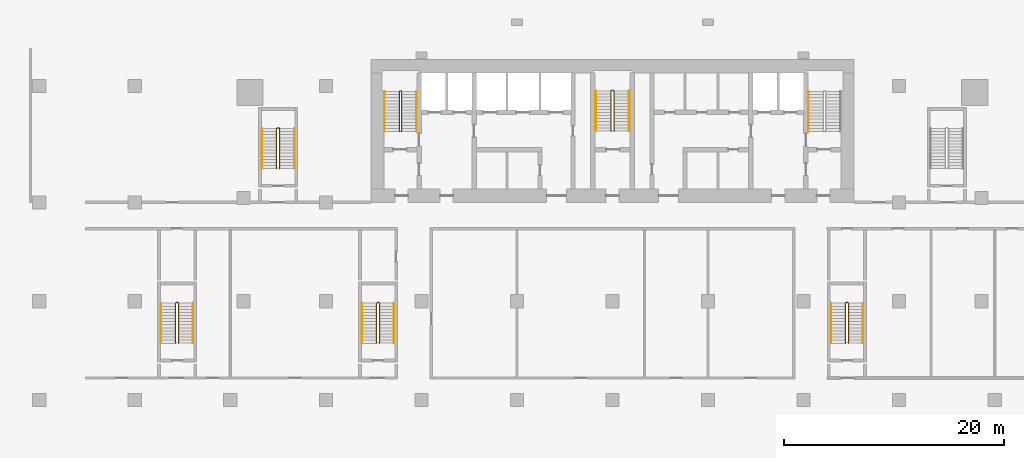
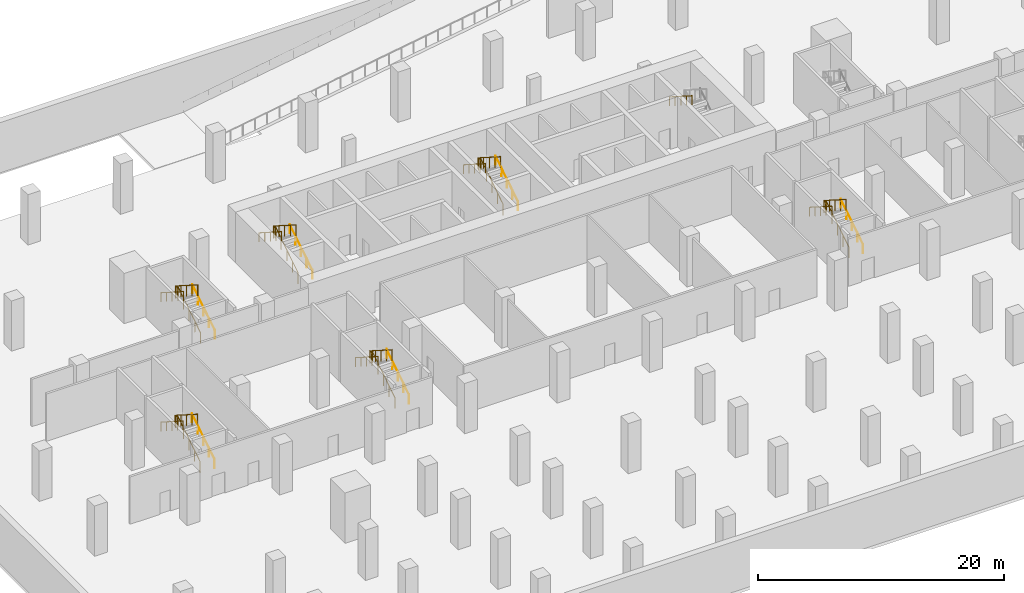
# One storey, part 7 of 8: 19 railings.
"""IFC4 building model written with IfcOpenShell, lengths in metres."""

from ifc_helpers import new_model, si_unit, direction, frame, origin, origin_2d, place, context, subcontext, project, spatial, circle, extrude, material, type_object, element, save


model = new_model("IFC4")

# Units and contexts
model_context = context("Model", 3, precision=1e-05, world=origin(), true_north=direction((0.0, 1.0)))
body_context = subcontext(model_context, "Body", "Model", "MODEL_VIEW")
ifc_project = project(units=[si_unit("LENGTHUNIT", "METRE"), si_unit("AREAUNIT", "SQUARE_METRE"), si_unit("VOLUMEUNIT", "CUBIC_METRE"), si_unit("PLANEANGLEUNIT", "RADIAN"), si_unit("MASSUNIT", "GRAM", prefix="KILO")], contexts=[model_context])

# Site, building, storey
site_placement = place(None, origin())
site = spatial("IfcSite", under=ifc_project, at=site_placement, CompositionType="ELEMENT")
building_placement = place(site_placement, origin())
building = spatial("IfcBuilding", under=site, at=building_placement, Name="Bicima Exchange Tower", CompositionType="ELEMENT")
storey_placement = place(building_placement, frame((0.0, 0.0, -10.0)))
storey = spatial("IfcBuildingStorey", under=building, at=storey_placement, Name="B2", CompositionType="ELEMENT", Elevation=-10.0)

# Railings
ifc_material = material(Name="Stainless steel", Category="steel")
railing_type_1 = type_object("IfcRailingType", Name="Stair guard 1100", PredefinedType="GUARDRAIL", material=ifc_material)
railing_1_placement = place(storey_placement, frame((-19.199951171875, -6.550048828125, 0.178466796875)))
element("IfcRailing", 1, at=railing_1_placement, inside=storey, type_object=railing_type_1, Name="B2 ST-W stair guard 1", PredefinedType="GUARDRAIL", context=body_context, shape_type="SweptSolid", body=[
    extrude(circle(Radius=0.02392578125, at=origin_2d()), frame((0.0, 0.0, 1.076171875), z_axis=(0.0, 0.843127859045, 0.537713132908), x_axis=(-1.0, 0.0, 0.0)), (0.0, 0.0, 1.0), 4.3173828125),
    extrude(circle(Radius=0.02392578125, at=origin_2d()), frame((0.0, 3.64013671875, 3.3974609375), z_axis=(-0.708833529934, 0.705375805398, 0.0), x_axis=(-0.705375805398, -0.708833529934, 0.0)), (0.0, 0.0, 1.0), 0.070556640625),
    extrude(circle(Radius=0.02392578125, at=origin_2d()), frame((-0.050048828125, 3.68994140625, 3.3974609375), z_axis=(-1.0, 0.0, 0.0), x_axis=(0.0, -1.0, 0.0)), (0.0, 0.0, 1.0), 0.10009765625),
    extrude(circle(Radius=0.02392578125, at=origin_2d()), frame((-0.150146484375, 3.68994140625, 3.3974609375), z_axis=(-0.259584636361, -0.259584636361, 0.930178280294), x_axis=(0.707106781187, -0.707106781187, 0.0)), (0.0, 0.0, 1.0), 0.19189453125),
    extrude(circle(Radius=0.02392578125, at=origin_2d()), frame((-0.199951171875, 3.64013671875, 3.576171875), z_axis=(0.0, -0.843127859045, 0.537713132908), x_axis=(1.0, 0.0, 0.0)), (0.0, 0.0, 1.0), 4.3173828125),
    extrude(circle(Radius=0.02099609375, at=origin_2d()), origin(), (0.0, 0.0, 1.0), 1.052001953125),
    extrude(circle(Radius=0.02099609375, at=origin_2d()), frame((0.0, 0.91015625, 0.580322265625)), (0.0, 0.0, 1.0), 1.052001953125),
    extrude(circle(Radius=0.02099609375, at=origin_2d()), frame((0.0, 1.820068359375, 1.16064453125)), (0.0, 0.0, 1.0), 1.052001953125),
    extrude(circle(Radius=0.02099609375, at=origin_2d()), frame((0.0, 2.72998046875, 1.7412109375)), (0.0, 0.0, 1.0), 1.052001953125),
    extrude(circle(Radius=0.02099609375, at=origin_2d()), frame((0.0, 3.64013671875, 2.321533203125)), (0.0, 0.0, 1.0), 1.052001953125),
    extrude(circle(Radius=0.02099609375, at=origin_2d()), frame((-0.050048828125, 3.68994140625, 2.321533203125)), (0.0, 0.0, 1.0), 1.052001953125),
    extrude(circle(Radius=0.02099609375, at=origin_2d()), frame((-0.150146484375, 3.68994140625, 2.321533203125)), (0.0, 0.0, 1.0), 1.052001953125),
    extrude(circle(Radius=0.02099609375, at=origin_2d()), frame((-0.199951171875, 3.64013671875, 2.5)), (0.0, 0.0, 1.0), 1.052001953125),
    extrude(circle(Radius=0.02099609375, at=origin_2d()), frame((-0.199951171875, 2.72998046875, 3.080322265625)), (0.0, 0.0, 1.0), 1.052001953125),
    extrude(circle(Radius=0.02099609375, at=origin_2d()), frame((-0.199951171875, 1.820068359375, 3.66064453125)), (0.0, 0.0, 1.0), 1.052001953125),
    extrude(circle(Radius=0.02099609375, at=origin_2d()), frame((-0.199951171875, 0.91015625, 4.2412109375)), (0.0, 0.0, 1.0), 1.052001953125),
    extrude(circle(Radius=0.02099609375, at=origin_2d()), frame((-0.199951171875, 0.0, 4.821533203125)), (0.0, 0.0, 1.0), 1.052001953125),
])
railing_2_placement = place(storey_placement, frame((0.125, -6.5, 0.178466796875)))
element("IfcRailing", 2, at=railing_2_placement, inside=storey, type_object=railing_type_1, Name="B2 ST-C stair guard 1", PredefinedType="GUARDRAIL", context=body_context, shape_type="SweptSolid", body=[
    extrude(circle(Radius=0.02392578125, at=origin_2d()), frame((0.0, 0.0, 1.076171875), z_axis=(0.0, 0.843111507901, 0.53773877045), x_axis=(-1.0, 0.0, 0.0)), (0.0, 0.0, 1.0), 4.317138671875),
    extrude(circle(Radius=0.02392578125, at=origin_2d()), frame((0.0, 3.639892578125, 3.3974609375), z_axis=(-0.707106781187, 0.707106781187, 0.0), x_axis=(-0.707106781187, -0.707106781187, 0.0)), (0.0, 0.0, 1.0), 0.07080078125),
    extrude(circle(Radius=0.02392578125, at=origin_2d()), frame((-0.050048828125, 3.68994140625, 3.3974609375), z_axis=(-1.0, 0.0, 0.0), x_axis=(0.0, -1.0, 0.0)), (0.0, 0.0, 1.0), 0.14990234375),
    extrude(circle(Radius=0.02392578125, at=origin_2d()), frame((-0.199951171875, 3.68994140625, 3.3974609375), z_axis=(-0.260684529273, -0.260684529273, 0.929562882432), x_axis=(0.707106781187, -0.707106781187, 0.0)), (0.0, 0.0, 1.0), 0.19189453125),
    extrude(circle(Radius=0.02392578125, at=origin_2d()), frame((-0.25, 3.639892578125, 3.576171875), z_axis=(0.0, -0.843111507901, 0.53773877045), x_axis=(1.0, 0.0, 0.0)), (0.0, 0.0, 1.0), 4.317138671875),
    extrude(circle(Radius=0.02099609375, at=origin_2d()), origin(), (0.0, 0.0, 1.0), 1.052001953125),
    extrude(circle(Radius=0.02099609375, at=origin_2d()), frame((0.0, 0.909912109375, 0.580322265625)), (0.0, 0.0, 1.0), 1.052001953125),
    extrude(circle(Radius=0.02099609375, at=origin_2d()), frame((0.0, 1.81982421875, 1.16064453125)), (0.0, 0.0, 1.0), 1.052001953125),
    extrude(circle(Radius=0.02099609375, at=origin_2d()), frame((0.0, 2.72998046875, 1.7412109375)), (0.0, 0.0, 1.0), 1.052001953125),
    extrude(circle(Radius=0.02099609375, at=origin_2d()), frame((0.0, 3.639892578125, 2.321533203125)), (0.0, 0.0, 1.0), 1.052001953125),
    extrude(circle(Radius=0.02099609375, at=origin_2d()), frame((-0.050048828125, 3.68994140625, 2.321533203125)), (0.0, 0.0, 1.0), 1.052001953125),
    extrude(circle(Radius=0.02099609375, at=origin_2d()), frame((-0.199951171875, 3.68994140625, 2.321533203125)), (0.0, 0.0, 1.0), 1.052001953125),
    extrude(circle(Radius=0.02099609375, at=origin_2d()), frame((-0.25, 3.639892578125, 2.5)), (0.0, 0.0, 1.0), 1.052001953125),
    extrude(circle(Radius=0.02099609375, at=origin_2d()), frame((-0.25, 2.72998046875, 3.080322265625)), (0.0, 0.0, 1.0), 1.052001953125),
    extrude(circle(Radius=0.02099609375, at=origin_2d()), frame((-0.25, 1.81982421875, 3.66064453125)), (0.0, 0.0, 1.0), 1.052001953125),
    extrude(circle(Radius=0.02099609375, at=origin_2d()), frame((-0.25, 0.909912109375, 4.2412109375)), (0.0, 0.0, 1.0), 1.052001953125),
    extrude(circle(Radius=0.02099609375, at=origin_2d()), frame((-0.25, 0.0, 4.821533203125)), (0.0, 0.0, 1.0), 1.052001953125),
])
railing_3_placement = place(storey_placement, frame((-30.324951171875, -9.925048828125, 0.178466796875)))
element("IfcRailing", 3, at=railing_3_placement, inside=storey, type_object=railing_type_1, Name="B2 ST-WW stair guard 1", PredefinedType="GUARDRAIL", context=body_context, shape_type="SweptSolid", body=[
    extrude(circle(Radius=0.02392578125, at=origin_2d()), frame((0.0, 0.0, 1.076171875), z_axis=(0.0, 0.843127859045, 0.537713132908), x_axis=(-1.0, 0.0, 0.0)), (0.0, 0.0, 1.0), 4.3173828125),
    extrude(circle(Radius=0.02392578125, at=origin_2d()), frame((0.0, 3.64013671875, 3.3974609375), z_axis=(-0.708833529934, 0.705375805398, 0.0), x_axis=(-0.705375805398, -0.708833529934, 0.0)), (0.0, 0.0, 1.0), 0.070556640625),
    extrude(circle(Radius=0.02392578125, at=origin_2d()), frame((-0.050048828125, 3.68994140625, 3.3974609375), z_axis=(-1.0, 0.0, 0.0), x_axis=(0.0, -1.0, 0.0)), (0.0, 0.0, 1.0), 0.14990234375),
    extrude(circle(Radius=0.02392578125, at=origin_2d()), frame((-0.199951171875, 3.68994140625, 3.3974609375), z_axis=(-0.26077077684, -0.25949872427, 0.929870428634), x_axis=(0.705375805398, -0.708833529934, 0.0)), (0.0, 0.0, 1.0), 0.19189453125),
    extrude(circle(Radius=0.02392578125, at=origin_2d()), frame((-0.25, 3.64013671875, 3.576171875), z_axis=(0.0, -0.843127859045, 0.537713132908), x_axis=(1.0, 0.0, 0.0)), (0.0, 0.0, 1.0), 4.3173828125),
    extrude(circle(Radius=0.02099609375, at=origin_2d()), origin(), (0.0, 0.0, 1.0), 1.052001953125),
    extrude(circle(Radius=0.02099609375, at=origin_2d()), frame((0.0, 0.91015625, 0.580322265625)), (0.0, 0.0, 1.0), 1.052001953125),
    extrude(circle(Radius=0.02099609375, at=origin_2d()), frame((0.0, 1.820068359375, 1.16064453125)), (0.0, 0.0, 1.0), 1.052001953125),
    extrude(circle(Radius=0.02099609375, at=origin_2d()), frame((0.0, 2.72998046875, 1.7412109375)), (0.0, 0.0, 1.0), 1.052001953125),
    extrude(circle(Radius=0.02099609375, at=origin_2d()), frame((0.0, 3.64013671875, 2.321533203125)), (0.0, 0.0, 1.0), 1.052001953125),
    extrude(circle(Radius=0.02099609375, at=origin_2d()), frame((-0.050048828125, 3.68994140625, 2.321533203125)), (0.0, 0.0, 1.0), 1.052001953125),
    extrude(circle(Radius=0.02099609375, at=origin_2d()), frame((-0.199951171875, 3.68994140625, 2.321533203125)), (0.0, 0.0, 1.0), 1.052001953125),
    extrude(circle(Radius=0.02099609375, at=origin_2d()), frame((-0.25, 3.64013671875, 2.5)), (0.0, 0.0, 1.0), 1.052001953125),
    extrude(circle(Radius=0.02099609375, at=origin_2d()), frame((-0.25, 2.72998046875, 3.080322265625)), (0.0, 0.0, 1.0), 1.052001953125),
    extrude(circle(Radius=0.02099609375, at=origin_2d()), frame((-0.25, 1.820068359375, 3.66064453125)), (0.0, 0.0, 1.0), 1.052001953125),
    extrude(circle(Radius=0.02099609375, at=origin_2d()), frame((-0.25, 0.91015625, 4.2412109375)), (0.0, 0.0, 1.0), 1.052001953125),
    extrude(circle(Radius=0.02099609375, at=origin_2d()), frame((-0.25, 0.0, 4.821533203125)), (0.0, 0.0, 1.0), 1.052001953125),
])
railing_4_placement = place(storey_placement, frame((-39.52490234375, -25.824951171875, 0.178466796875)))
element("IfcRailing", 4, at=railing_4_placement, inside=storey, type_object=railing_type_1, Name="B2 PS-W stair guard 1", PredefinedType="GUARDRAIL", context=body_context, shape_type="SweptSolid", body=[
    extrude(circle(Radius=0.02392578125, at=origin_2d()), frame((0.0, 0.0, 1.076171875), z_axis=(0.0, 0.843111507901, 0.53773877045), x_axis=(-1.0, 0.0, 0.0)), (0.0, 0.0, 1.0), 4.317138671875),
    extrude(circle(Radius=0.02392578125, at=origin_2d()), frame((0.0, 3.639892578125, 3.3974609375), z_axis=(-0.707106781187, 0.707106781187, 0.0), x_axis=(-0.707106781187, -0.707106781187, 0.0)), (0.0, 0.0, 1.0), 0.07080078125),
    extrude(circle(Radius=0.02392578125, at=origin_2d()), frame((-0.050048828125, 3.68994140625, 3.3974609375), z_axis=(-1.0, 0.0, 0.0), x_axis=(0.0, -1.0, 0.0)), (0.0, 0.0, 1.0), 0.150146484375),
    extrude(circle(Radius=0.02392578125, at=origin_2d()), frame((-0.2001953125, 3.68994140625, 3.3974609375), z_axis=(-0.25949872427, -0.26077077684, 0.929870428634), x_axis=(0.708833529934, -0.705375805398, 0.0)), (0.0, 0.0, 1.0), 0.19189453125),
    extrude(circle(Radius=0.02392578125, at=origin_2d()), frame((-0.25, 3.639892578125, 3.576171875), z_axis=(0.0, -0.843111507901, 0.53773877045), x_axis=(1.0, 0.0, 0.0)), (0.0, 0.0, 1.0), 4.317138671875),
    extrude(circle(Radius=0.02099609375, at=origin_2d()), origin(), (0.0, 0.0, 1.0), 1.052001953125),
    extrude(circle(Radius=0.02099609375, at=origin_2d()), frame((0.0, 0.909912109375, 0.580322265625)), (0.0, 0.0, 1.0), 1.052001953125),
    extrude(circle(Radius=0.02099609375, at=origin_2d()), frame((0.0, 1.81982421875, 1.16064453125)), (0.0, 0.0, 1.0), 1.052001953125),
    extrude(circle(Radius=0.02099609375, at=origin_2d()), frame((0.0, 2.72998046875, 1.7412109375)), (0.0, 0.0, 1.0), 1.052001953125),
    extrude(circle(Radius=0.02099609375, at=origin_2d()), frame((0.0, 3.639892578125, 2.321533203125)), (0.0, 0.0, 1.0), 1.052001953125),
    extrude(circle(Radius=0.02099609375, at=origin_2d()), frame((-0.050048828125, 3.68994140625, 2.321533203125)), (0.0, 0.0, 1.0), 1.052001953125),
    extrude(circle(Radius=0.02099609375, at=origin_2d()), frame((-0.2001953125, 3.68994140625, 2.321533203125)), (0.0, 0.0, 1.0), 1.052001953125),
    extrude(circle(Radius=0.02099609375, at=origin_2d()), frame((-0.25, 3.639892578125, 2.5)), (0.0, 0.0, 1.0), 1.052001953125),
    extrude(circle(Radius=0.02099609375, at=origin_2d()), frame((-0.25, 2.72998046875, 3.080322265625)), (0.0, 0.0, 1.0), 1.052001953125),
    extrude(circle(Radius=0.02099609375, at=origin_2d()), frame((-0.25, 1.81982421875, 3.66064453125)), (0.0, 0.0, 1.0), 1.052001953125),
    extrude(circle(Radius=0.02099609375, at=origin_2d()), frame((-0.25, 0.909912109375, 4.2412109375)), (0.0, 0.0, 1.0), 1.052001953125),
    extrude(circle(Radius=0.02099609375, at=origin_2d()), frame((-0.25, 0.0, 4.821533203125)), (0.0, 0.0, 1.0), 1.052001953125),
])
railing_5_placement = place(storey_placement, frame((-21.22509765625, -25.824951171875, 0.178466796875)))
element("IfcRailing", 5, at=railing_5_placement, inside=storey, type_object=railing_type_1, Name="B2 PS-WI stair guard 1", PredefinedType="GUARDRAIL", context=body_context, shape_type="SweptSolid", body=[
    extrude(circle(Radius=0.02392578125, at=origin_2d()), frame((0.0, 0.0, 1.076171875), z_axis=(0.0, 0.843111507901, 0.53773877045), x_axis=(-1.0, 0.0, 0.0)), (0.0, 0.0, 1.0), 4.317138671875),
    extrude(circle(Radius=0.02392578125, at=origin_2d()), frame((0.0, 3.639892578125, 3.3974609375), z_axis=(-0.705375805398, 0.708833529934, 0.0), x_axis=(-0.708833529934, -0.705375805398, 0.0)), (0.0, 0.0, 1.0), 0.070556640625),
    extrude(circle(Radius=0.02392578125, at=origin_2d()), frame((-0.0498046875, 3.68994140625, 3.3974609375), z_axis=(-1.0, 0.0, 0.0), x_axis=(0.0, -1.0, 0.0)), (0.0, 0.0, 1.0), 0.150146484375),
    extrude(circle(Radius=0.02392578125, at=origin_2d()), frame((-0.199951171875, 3.68994140625, 3.3974609375), z_axis=(-0.260684529273, -0.260684529273, 0.929562882432), x_axis=(0.707106781187, -0.707106781187, 0.0)), (0.0, 0.0, 1.0), 0.19189453125),
    extrude(circle(Radius=0.02392578125, at=origin_2d()), frame((-0.25, 3.639892578125, 3.576171875), z_axis=(0.0, -0.843111507901, 0.53773877045), x_axis=(1.0, 0.0, 0.0)), (0.0, 0.0, 1.0), 4.317138671875),
    extrude(circle(Radius=0.02099609375, at=origin_2d()), origin(), (0.0, 0.0, 1.0), 1.052001953125),
    extrude(circle(Radius=0.02099609375, at=origin_2d()), frame((0.0, 0.909912109375, 0.580322265625)), (0.0, 0.0, 1.0), 1.052001953125),
    extrude(circle(Radius=0.02099609375, at=origin_2d()), frame((0.0, 1.81982421875, 1.16064453125)), (0.0, 0.0, 1.0), 1.052001953125),
    extrude(circle(Radius=0.02099609375, at=origin_2d()), frame((0.0, 2.72998046875, 1.7412109375)), (0.0, 0.0, 1.0), 1.052001953125),
    extrude(circle(Radius=0.02099609375, at=origin_2d()), frame((0.0, 3.639892578125, 2.321533203125)), (0.0, 0.0, 1.0), 1.052001953125),
    extrude(circle(Radius=0.02099609375, at=origin_2d()), frame((-0.0498046875, 3.68994140625, 2.321533203125)), (0.0, 0.0, 1.0), 1.052001953125),
    extrude(circle(Radius=0.02099609375, at=origin_2d()), frame((-0.199951171875, 3.68994140625, 2.321533203125)), (0.0, 0.0, 1.0), 1.052001953125),
    extrude(circle(Radius=0.02099609375, at=origin_2d()), frame((-0.25, 3.639892578125, 2.5)), (0.0, 0.0, 1.0), 1.052001953125),
    extrude(circle(Radius=0.02099609375, at=origin_2d()), frame((-0.25, 2.72998046875, 3.080322265625)), (0.0, 0.0, 1.0), 1.052001953125),
    extrude(circle(Radius=0.02099609375, at=origin_2d()), frame((-0.25, 1.81982421875, 3.66064453125)), (0.0, 0.0, 1.0), 1.052001953125),
    extrude(circle(Radius=0.02099609375, at=origin_2d()), frame((-0.25, 0.909912109375, 4.2412109375)), (0.0, 0.0, 1.0), 1.052001953125),
    extrude(circle(Radius=0.02099609375, at=origin_2d()), frame((-0.25, 0.0, 4.821533203125)), (0.0, 0.0, 1.0), 1.052001953125),
])
railing_6_placement = place(storey_placement, frame((21.47509765625, -25.824951171875, 0.178466796875)))
element("IfcRailing", 6, at=railing_6_placement, inside=storey, type_object=railing_type_1, Name="B2 PS-EI stair guard 1", PredefinedType="GUARDRAIL", context=body_context, shape_type="SweptSolid", body=[
    extrude(circle(Radius=0.02392578125, at=origin_2d()), frame((0.0, 0.0, 1.076171875), z_axis=(0.0, 0.843111507901, 0.53773877045), x_axis=(-1.0, 0.0, 0.0)), (0.0, 0.0, 1.0), 4.317138671875),
    extrude(circle(Radius=0.02392578125, at=origin_2d()), frame((0.0, 3.639892578125, 3.3974609375), z_axis=(-0.707106781187, 0.707106781187, 0.0), x_axis=(-0.707106781187, -0.707106781187, 0.0)), (0.0, 0.0, 1.0), 0.07080078125),
    extrude(circle(Radius=0.02392578125, at=origin_2d()), frame((-0.050048828125, 3.68994140625, 3.3974609375), z_axis=(-1.0, 0.0, 0.0), x_axis=(0.0, -1.0, 0.0)), (0.0, 0.0, 1.0), 0.150146484375),
    extrude(circle(Radius=0.02392578125, at=origin_2d()), frame((-0.2001953125, 3.68994140625, 3.3974609375), z_axis=(-0.25949872427, -0.26077077684, 0.929870428634), x_axis=(0.708833529934, -0.705375805398, 0.0)), (0.0, 0.0, 1.0), 0.19189453125),
    extrude(circle(Radius=0.02392578125, at=origin_2d()), frame((-0.25, 3.639892578125, 3.576171875), z_axis=(0.0, -0.843111507901, 0.53773877045), x_axis=(1.0, 0.0, 0.0)), (0.0, 0.0, 1.0), 4.317138671875),
    extrude(circle(Radius=0.02099609375, at=origin_2d()), origin(), (0.0, 0.0, 1.0), 1.052001953125),
    extrude(circle(Radius=0.02099609375, at=origin_2d()), frame((0.0, 0.909912109375, 0.580322265625)), (0.0, 0.0, 1.0), 1.052001953125),
    extrude(circle(Radius=0.02099609375, at=origin_2d()), frame((0.0, 1.81982421875, 1.16064453125)), (0.0, 0.0, 1.0), 1.052001953125),
    extrude(circle(Radius=0.02099609375, at=origin_2d()), frame((0.0, 2.72998046875, 1.7412109375)), (0.0, 0.0, 1.0), 1.052001953125),
    extrude(circle(Radius=0.02099609375, at=origin_2d()), frame((0.0, 3.639892578125, 2.321533203125)), (0.0, 0.0, 1.0), 1.052001953125),
    extrude(circle(Radius=0.02099609375, at=origin_2d()), frame((-0.050048828125, 3.68994140625, 2.321533203125)), (0.0, 0.0, 1.0), 1.052001953125),
    extrude(circle(Radius=0.02099609375, at=origin_2d()), frame((-0.2001953125, 3.68994140625, 2.321533203125)), (0.0, 0.0, 1.0), 1.052001953125),
    extrude(circle(Radius=0.02099609375, at=origin_2d()), frame((-0.25, 3.639892578125, 2.5)), (0.0, 0.0, 1.0), 1.052001953125),
    extrude(circle(Radius=0.02099609375, at=origin_2d()), frame((-0.25, 2.72998046875, 3.080322265625)), (0.0, 0.0, 1.0), 1.052001953125),
    extrude(circle(Radius=0.02099609375, at=origin_2d()), frame((-0.25, 1.81982421875, 3.66064453125)), (0.0, 0.0, 1.0), 1.052001953125),
    extrude(circle(Radius=0.02099609375, at=origin_2d()), frame((-0.25, 0.909912109375, 4.2412109375)), (0.0, 0.0, 1.0), 1.052001953125),
    extrude(circle(Radius=0.02099609375, at=origin_2d()), frame((-0.25, 0.0, 4.821533203125)), (0.0, 0.0, 1.0), 1.052001953125),
])
railing_type_2 = type_object("IfcRailingType", Name="Stair handrail 900", PredefinedType="HANDRAIL", material=ifc_material)
railing_7_placement = place(storey_placement, frame((-17.85009765625, -6.550048828125, 0.178466796875)))
element("IfcRailing", 7, at=railing_7_placement, inside=storey, type_object=railing_type_2, Name="B2 ST-W stair handrail 1", PredefinedType="HANDRAIL", context=body_context, shape_type="SweptSolid", body=[
    extrude(circle(Radius=0.02392578125, at=origin_2d()), frame((0.0, 0.0, 0.8759765625), z_axis=(0.0, 0.843127859045, 0.537713132908), x_axis=(-1.0, 0.0, 0.0)), (0.0, 0.0, 1.0), 4.3173828125),
    extrude(circle(Radius=0.02099609375, at=origin_2d()), origin(), (0.0, 0.0, 1.0), 0.851806640625),
    extrude(circle(Radius=0.02099609375, at=origin_2d()), frame((0.0, 0.91015625, 0.580322265625)), (0.0, 0.0, 1.0), 0.851806640625),
    extrude(circle(Radius=0.02099609375, at=origin_2d()), frame((0.0, 1.820068359375, 1.16064453125)), (0.0, 0.0, 1.0), 0.851806640625),
    extrude(circle(Radius=0.02099609375, at=origin_2d()), frame((0.0, 2.72998046875, 1.7412109375)), (0.0, 0.0, 1.0), 0.851806640625),
    extrude(circle(Radius=0.02099609375, at=origin_2d()), frame((0.0, 3.64013671875, 2.321533203125)), (0.0, 0.0, 1.0), 0.851806640625),
])
railing_8_placement = place(storey_placement, frame((-20.75, -2.909912109375, 2.678466796875)))
element("IfcRailing", 8, at=railing_8_placement, inside=storey, type_object=railing_type_2, Name="B2 ST-W stair handrail 2", PredefinedType="HANDRAIL", context=body_context, shape_type="SweptSolid", body=[
    extrude(circle(Radius=0.02392578125, at=origin_2d()), frame((0.0, 0.0, 0.8759765625), z_axis=(0.0, -0.843127859045, 0.537713132908), x_axis=(1.0, 0.0, 0.0)), (0.0, 0.0, 1.0), 4.3173828125),
    extrude(circle(Radius=0.02099609375, at=origin_2d()), origin(), (0.0, 0.0, 1.0), 0.851806640625),
    extrude(circle(Radius=0.02099609375, at=origin_2d()), frame((0.0, -0.91015625, 0.580322265625)), (0.0, 0.0, 1.0), 0.851806640625),
    extrude(circle(Radius=0.02099609375, at=origin_2d()), frame((0.0, -1.820068359375, 1.16064453125)), (0.0, 0.0, 1.0), 0.851806640625),
    extrude(circle(Radius=0.02099609375, at=origin_2d()), frame((0.0, -2.72998046875, 1.7412109375)), (0.0, 0.0, 1.0), 0.851806640625),
    extrude(circle(Radius=0.02099609375, at=origin_2d()), frame((0.0, -3.64013671875, 2.321533203125)), (0.0, 0.0, 1.0), 0.851806640625),
])
railing_9_placement = place(storey_placement, frame((1.52490234375, -6.5, 0.178466796875)))
element("IfcRailing", 9, at=railing_9_placement, inside=storey, type_object=railing_type_2, Name="B2 ST-C stair handrail 1", PredefinedType="HANDRAIL", context=body_context, shape_type="SweptSolid", body=[
    extrude(circle(Radius=0.02392578125, at=origin_2d()), frame((0.0, 0.0, 0.8759765625), z_axis=(0.0, 0.843111507901, 0.53773877045), x_axis=(-1.0, 0.0, 0.0)), (0.0, 0.0, 1.0), 4.317138671875),
    extrude(circle(Radius=0.02099609375, at=origin_2d()), origin(), (0.0, 0.0, 1.0), 0.851806640625),
    extrude(circle(Radius=0.02099609375, at=origin_2d()), frame((0.0, 0.909912109375, 0.580322265625)), (0.0, 0.0, 1.0), 0.851806640625),
    extrude(circle(Radius=0.02099609375, at=origin_2d()), frame((0.0, 1.81982421875, 1.16064453125)), (0.0, 0.0, 1.0), 0.851806640625),
    extrude(circle(Radius=0.02099609375, at=origin_2d()), frame((0.0, 2.72998046875, 1.7412109375)), (0.0, 0.0, 1.0), 0.851806640625),
    extrude(circle(Radius=0.02099609375, at=origin_2d()), frame((0.0, 3.639892578125, 2.321533203125)), (0.0, 0.0, 1.0), 0.851806640625),
])
railing_10_placement = place(storey_placement, frame((-1.52490234375, -2.860107421875, 2.678466796875)))
element("IfcRailing", 10, at=railing_10_placement, inside=storey, type_object=railing_type_2, Name="B2 ST-C stair handrail 2", PredefinedType="HANDRAIL", context=body_context, shape_type="SweptSolid", body=[
    extrude(circle(Radius=0.02392578125, at=origin_2d()), frame((0.0, 0.0, 0.8759765625), z_axis=(0.0, -0.843111507901, 0.53773877045), x_axis=(1.0, 0.0, 0.0)), (0.0, 0.0, 1.0), 4.317138671875),
    extrude(circle(Radius=0.02099609375, at=origin_2d()), origin(), (0.0, 0.0, 1.0), 0.851806640625),
    extrude(circle(Radius=0.02099609375, at=origin_2d()), frame((0.0, -0.909912109375, 0.580322265625)), (0.0, 0.0, 1.0), 0.851806640625),
    extrude(circle(Radius=0.02099609375, at=origin_2d()), frame((0.0, -1.81982421875, 1.16064453125)), (0.0, 0.0, 1.0), 0.851806640625),
    extrude(circle(Radius=0.02099609375, at=origin_2d()), frame((0.0, -2.72998046875, 1.7412109375)), (0.0, 0.0, 1.0), 0.851806640625),
    extrude(circle(Radius=0.02099609375, at=origin_2d()), frame((0.0, -3.639892578125, 2.321533203125)), (0.0, 0.0, 1.0), 0.851806640625),
])
railing_11_placement = place(storey_placement, frame((17.85009765625, -2.909912109375, 2.678466796875)))
element("IfcRailing", 11, at=railing_11_placement, inside=storey, type_object=railing_type_2, Name="B2 ST-E stair handrail 2", PredefinedType="HANDRAIL", context=body_context, shape_type="SweptSolid", body=[
    extrude(circle(Radius=0.02392578125, at=origin_2d()), frame((0.0, 0.0, 0.8759765625), z_axis=(0.0, -0.843127859045, 0.537713132908), x_axis=(1.0, 0.0, 0.0)), (0.0, 0.0, 1.0), 4.3173828125),
    extrude(circle(Radius=0.02099609375, at=origin_2d()), origin(), (0.0, 0.0, 1.0), 0.851806640625),
    extrude(circle(Radius=0.02099609375, at=origin_2d()), frame((0.0, -0.91015625, 0.580322265625)), (0.0, 0.0, 1.0), 0.851806640625),
    extrude(circle(Radius=0.02099609375, at=origin_2d()), frame((0.0, -1.820068359375, 1.16064453125)), (0.0, 0.0, 1.0), 0.851806640625),
    extrude(circle(Radius=0.02099609375, at=origin_2d()), frame((0.0, -2.72998046875, 1.7412109375)), (0.0, 0.0, 1.0), 0.851806640625),
    extrude(circle(Radius=0.02099609375, at=origin_2d()), frame((0.0, -3.64013671875, 2.321533203125)), (0.0, 0.0, 1.0), 0.851806640625),
])
railing_12_placement = place(storey_placement, frame((-28.97509765625, -9.925048828125, 0.178466796875)))
element("IfcRailing", 12, at=railing_12_placement, inside=storey, type_object=railing_type_2, Name="B2 ST-WW stair handrail 1", PredefinedType="HANDRAIL", context=body_context, shape_type="SweptSolid", body=[
    extrude(circle(Radius=0.02392578125, at=origin_2d()), frame((0.0, 0.0, 0.8759765625), z_axis=(0.0, 0.843127859045, 0.537713132908), x_axis=(-1.0, 0.0, 0.0)), (0.0, 0.0, 1.0), 4.3173828125),
    extrude(circle(Radius=0.02099609375, at=origin_2d()), origin(), (0.0, 0.0, 1.0), 0.851806640625),
    extrude(circle(Radius=0.02099609375, at=origin_2d()), frame((0.0, 0.91015625, 0.580322265625)), (0.0, 0.0, 1.0), 0.851806640625),
    extrude(circle(Radius=0.02099609375, at=origin_2d()), frame((0.0, 1.820068359375, 1.16064453125)), (0.0, 0.0, 1.0), 0.851806640625),
    extrude(circle(Radius=0.02099609375, at=origin_2d()), frame((0.0, 2.72998046875, 1.7412109375)), (0.0, 0.0, 1.0), 0.851806640625),
    extrude(circle(Radius=0.02099609375, at=origin_2d()), frame((0.0, 3.64013671875, 2.321533203125)), (0.0, 0.0, 1.0), 0.851806640625),
])
railing_13_placement = place(storey_placement, frame((-31.925048828125, -6.284912109375, 2.678466796875)))
element("IfcRailing", 13, at=railing_13_placement, inside=storey, type_object=railing_type_2, Name="B2 ST-WW stair handrail 2", PredefinedType="HANDRAIL", context=body_context, shape_type="SweptSolid", body=[
    extrude(circle(Radius=0.02392578125, at=origin_2d()), frame((0.0, 0.0, 0.8759765625), z_axis=(0.0, -0.843127859045, 0.537713132908), x_axis=(1.0, 0.0, 0.0)), (0.0, 0.0, 1.0), 4.3173828125),
    extrude(circle(Radius=0.02099609375, at=origin_2d()), origin(), (0.0, 0.0, 1.0), 0.851806640625),
    extrude(circle(Radius=0.02099609375, at=origin_2d()), frame((0.0, -0.91015625, 0.580322265625)), (0.0, 0.0, 1.0), 0.851806640625),
    extrude(circle(Radius=0.02099609375, at=origin_2d()), frame((0.0, -1.820068359375, 1.16064453125)), (0.0, 0.0, 1.0), 0.851806640625),
    extrude(circle(Radius=0.02099609375, at=origin_2d()), frame((0.0, -2.72998046875, 1.7412109375)), (0.0, 0.0, 1.0), 0.851806640625),
    extrude(circle(Radius=0.02099609375, at=origin_2d()), frame((0.0, -3.64013671875, 2.321533203125)), (0.0, 0.0, 1.0), 0.851806640625),
])
railing_14_placement = place(storey_placement, frame((-38.175048828125, -25.824951171875, 0.178466796875)))
element("IfcRailing", 14, at=railing_14_placement, inside=storey, type_object=railing_type_2, Name="B2 PS-W stair handrail 1", PredefinedType="HANDRAIL", context=body_context, shape_type="SweptSolid", body=[
    extrude(circle(Radius=0.02392578125, at=origin_2d()), frame((0.0, 0.0, 0.8759765625), z_axis=(0.0, 0.843111507901, 0.53773877045), x_axis=(-1.0, 0.0, 0.0)), (0.0, 0.0, 1.0), 4.317138671875),
    extrude(circle(Radius=0.02099609375, at=origin_2d()), origin(), (0.0, 0.0, 1.0), 0.851806640625),
    extrude(circle(Radius=0.02099609375, at=origin_2d()), frame((0.0, 0.909912109375, 0.580322265625)), (0.0, 0.0, 1.0), 0.851806640625),
    extrude(circle(Radius=0.02099609375, at=origin_2d()), frame((0.0, 1.81982421875, 1.16064453125)), (0.0, 0.0, 1.0), 0.851806640625),
    extrude(circle(Radius=0.02099609375, at=origin_2d()), frame((0.0, 2.72998046875, 1.7412109375)), (0.0, 0.0, 1.0), 0.851806640625),
    extrude(circle(Radius=0.02099609375, at=origin_2d()), frame((0.0, 3.639892578125, 2.321533203125)), (0.0, 0.0, 1.0), 0.851806640625),
])
railing_15_placement = place(storey_placement, frame((-41.125, -22.18505859375, 2.678466796875)))
element("IfcRailing", 15, at=railing_15_placement, inside=storey, type_object=railing_type_2, Name="B2 PS-W stair handrail 2", PredefinedType="HANDRAIL", context=body_context, shape_type="SweptSolid", body=[
    extrude(circle(Radius=0.02392578125, at=origin_2d()), frame((0.0, 0.0, 0.8759765625), z_axis=(0.0, -0.843111507901, 0.53773877045), x_axis=(1.0, 0.0, 0.0)), (0.0, 0.0, 1.0), 4.317138671875),
    extrude(circle(Radius=0.02099609375, at=origin_2d()), origin(), (0.0, 0.0, 1.0), 0.851806640625),
    extrude(circle(Radius=0.02099609375, at=origin_2d()), frame((0.0, -0.909912109375, 0.580322265625)), (0.0, 0.0, 1.0), 0.851806640625),
    extrude(circle(Radius=0.02099609375, at=origin_2d()), frame((0.0, -1.81982421875, 1.16064453125)), (0.0, 0.0, 1.0), 0.851806640625),
    extrude(circle(Radius=0.02099609375, at=origin_2d()), frame((0.0, -2.72998046875, 1.7412109375)), (0.0, 0.0, 1.0), 0.851806640625),
    extrude(circle(Radius=0.02099609375, at=origin_2d()), frame((0.0, -3.639892578125, 2.321533203125)), (0.0, 0.0, 1.0), 0.851806640625),
])
railing_16_placement = place(storey_placement, frame((-19.875, -25.824951171875, 0.178466796875)))
element("IfcRailing", 16, at=railing_16_placement, inside=storey, type_object=railing_type_2, Name="B2 PS-WI stair handrail 1", PredefinedType="HANDRAIL", context=body_context, shape_type="SweptSolid", body=[
    extrude(circle(Radius=0.02392578125, at=origin_2d()), frame((0.0, 0.0, 0.8759765625), z_axis=(0.0, 0.843111507901, 0.53773877045), x_axis=(-1.0, 0.0, 0.0)), (0.0, 0.0, 1.0), 4.317138671875),
    extrude(circle(Radius=0.02099609375, at=origin_2d()), origin(), (0.0, 0.0, 1.0), 0.851806640625),
    extrude(circle(Radius=0.02099609375, at=origin_2d()), frame((0.0, 0.909912109375, 0.580322265625)), (0.0, 0.0, 1.0), 0.851806640625),
    extrude(circle(Radius=0.02099609375, at=origin_2d()), frame((0.0, 1.81982421875, 1.16064453125)), (0.0, 0.0, 1.0), 0.851806640625),
    extrude(circle(Radius=0.02099609375, at=origin_2d()), frame((0.0, 2.72998046875, 1.7412109375)), (0.0, 0.0, 1.0), 0.851806640625),
    extrude(circle(Radius=0.02099609375, at=origin_2d()), frame((0.0, 3.639892578125, 2.321533203125)), (0.0, 0.0, 1.0), 0.851806640625),
])
railing_17_placement = place(storey_placement, frame((-22.824951171875, -22.18505859375, 2.678466796875)))
element("IfcRailing", 17, at=railing_17_placement, inside=storey, type_object=railing_type_2, Name="B2 PS-WI stair handrail 2", PredefinedType="HANDRAIL", context=body_context, shape_type="SweptSolid", body=[
    extrude(circle(Radius=0.02392578125, at=origin_2d()), frame((0.0, 0.0, 0.8759765625), z_axis=(0.0, -0.843111507901, 0.53773877045), x_axis=(1.0, 0.0, 0.0)), (0.0, 0.0, 1.0), 4.317138671875),
    extrude(circle(Radius=0.02099609375, at=origin_2d()), origin(), (0.0, 0.0, 1.0), 0.851806640625),
    extrude(circle(Radius=0.02099609375, at=origin_2d()), frame((0.0, -0.909912109375, 0.580322265625)), (0.0, 0.0, 1.0), 0.851806640625),
    extrude(circle(Radius=0.02099609375, at=origin_2d()), frame((0.0, -1.81982421875, 1.16064453125)), (0.0, 0.0, 1.0), 0.851806640625),
    extrude(circle(Radius=0.02099609375, at=origin_2d()), frame((0.0, -2.72998046875, 1.7412109375)), (0.0, 0.0, 1.0), 0.851806640625),
    extrude(circle(Radius=0.02099609375, at=origin_2d()), frame((0.0, -3.639892578125, 2.321533203125)), (0.0, 0.0, 1.0), 0.851806640625),
])
railing_18_placement = place(storey_placement, frame((22.824951171875, -25.824951171875, 0.178466796875)))
element("IfcRailing", 18, at=railing_18_placement, inside=storey, type_object=railing_type_2, Name="B2 PS-EI stair handrail 1", PredefinedType="HANDRAIL", context=body_context, shape_type="SweptSolid", body=[
    extrude(circle(Radius=0.02392578125, at=origin_2d()), frame((0.0, 0.0, 0.8759765625), z_axis=(0.0, 0.843111507901, 0.53773877045), x_axis=(-1.0, 0.0, 0.0)), (0.0, 0.0, 1.0), 4.317138671875),
    extrude(circle(Radius=0.02099609375, at=origin_2d()), origin(), (0.0, 0.0, 1.0), 0.851806640625),
    extrude(circle(Radius=0.02099609375, at=origin_2d()), frame((0.0, 0.909912109375, 0.580322265625)), (0.0, 0.0, 1.0), 0.851806640625),
    extrude(circle(Radius=0.02099609375, at=origin_2d()), frame((0.0, 1.81982421875, 1.16064453125)), (0.0, 0.0, 1.0), 0.851806640625),
    extrude(circle(Radius=0.02099609375, at=origin_2d()), frame((0.0, 2.72998046875, 1.7412109375)), (0.0, 0.0, 1.0), 0.851806640625),
    extrude(circle(Radius=0.02099609375, at=origin_2d()), frame((0.0, 3.639892578125, 2.321533203125)), (0.0, 0.0, 1.0), 0.851806640625),
])
railing_19_placement = place(storey_placement, frame((19.875, -22.18505859375, 2.678466796875)))
element("IfcRailing", 19, at=railing_19_placement, inside=storey, type_object=railing_type_2, Name="B2 PS-EI stair handrail 2", PredefinedType="HANDRAIL", context=body_context, shape_type="SweptSolid", body=[
    extrude(circle(Radius=0.02392578125, at=origin_2d()), frame((0.0, 0.0, 0.8759765625), z_axis=(0.0, -0.843111507901, 0.53773877045), x_axis=(1.0, 0.0, 0.0)), (0.0, 0.0, 1.0), 4.317138671875),
    extrude(circle(Radius=0.02099609375, at=origin_2d()), origin(), (0.0, 0.0, 1.0), 0.851806640625),
    extrude(circle(Radius=0.02099609375, at=origin_2d()), frame((0.0, -0.909912109375, 0.580322265625)), (0.0, 0.0, 1.0), 0.851806640625),
    extrude(circle(Radius=0.02099609375, at=origin_2d()), frame((0.0, -1.81982421875, 1.16064453125)), (0.0, 0.0, 1.0), 0.851806640625),
    extrude(circle(Radius=0.02099609375, at=origin_2d()), frame((0.0, -2.72998046875, 1.7412109375)), (0.0, 0.0, 1.0), 0.851806640625),
    extrude(circle(Radius=0.02099609375, at=origin_2d()), frame((0.0, -3.639892578125, 2.321533203125)), (0.0, 0.0, 1.0), 0.851806640625),
])

save(model, "model.ifc")
